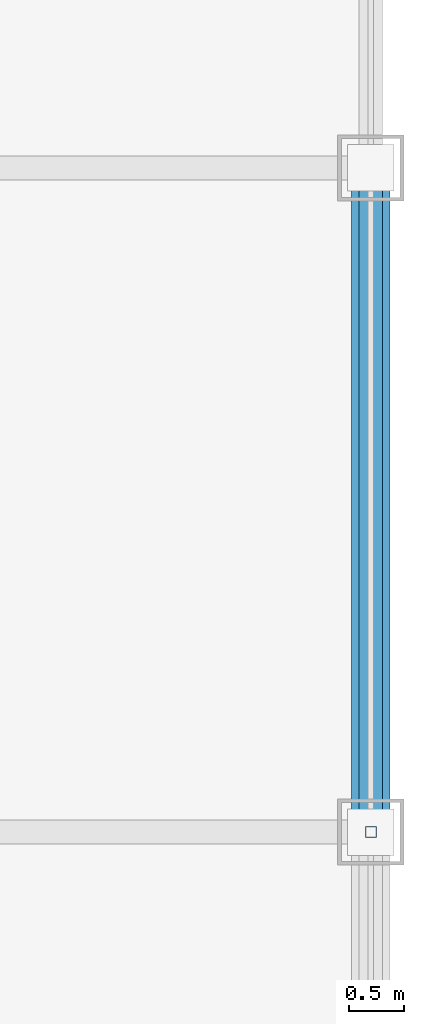
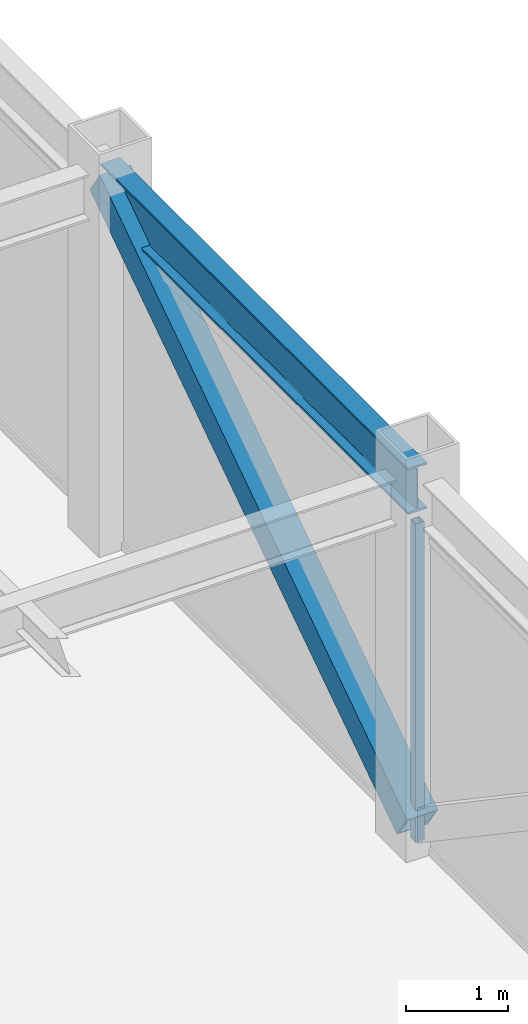
# One storey, part 12 of 27: 2 members, 1 beam, 1 element without a shape of its own.
"""IFC4 building model written with IfcOpenShell, lengths in metres."""

from ifc_helpers import new_model, si_unit, direction, frame, origin, origin_2d, place, context, subcontext, project, spatial, hollow_rectangle, i_section, extrude, source, transform, mapped, material, material_profile, profile_set, type_object, element, aggregate, save


model = new_model("IFC4")

# Units and contexts
model_context = context("Model", 3, precision=1e-05, world=origin(), true_north=direction((0.0, 1.0)))
body_context = subcontext(model_context, "Body", "Model", "MODEL_VIEW")
ifc_project = project(units=[si_unit("LENGTHUNIT", "METRE"), si_unit("AREAUNIT", "SQUARE_METRE"), si_unit("VOLUMEUNIT", "CUBIC_METRE"), si_unit("PLANEANGLEUNIT", "RADIAN"), si_unit("MASSUNIT", "GRAM", prefix="KILO")], contexts=[model_context])

# Site, building, storey
site_placement = place(None, origin())
site = spatial("IfcSite", under=ifc_project, at=site_placement, CompositionType="ELEMENT")
building_placement = place(site_placement, origin())
building = spatial("IfcBuilding", under=site, at=building_placement, Name="Khorayat Bourse Tower", CompositionType="ELEMENT")
storey_placement = place(building_placement, frame((0.0, 0.0, 380.300048828125)))
storey = spatial("IfcBuildingStorey", under=building, at=storey_placement, Name="L90", CompositionType="ELEMENT", Elevation=380.300048828125)

# Beam
ifc_material_1 = material(Name="Steel ASTM A992 Grade 50", Category="steel")
ifc_material_profile_1 = material_profile(ifc_material_1, i_section(OverallWidth=0.214111328125, OverallDepth=0.549072265625, WebThickness=0.0146484375, FlangeThickness=0.023681640625, FilletRadius=0.013916015625, at=origin_2d()), Name="W530X138")
ifc_profile_set_1 = profile_set([ifc_material_profile_1], Name="Steel ASTM A992 Grade 50")
beam_type = type_object("IfcBeamType", Name="BM-SPAN-530", PredefinedType="SPANDREL", material=ifc_profile_set_1)
shared_shape_1 = source(origin(), body_context, "Body", "SweptSolid", [
    extrude(i_section(OverallWidth=0.214111328125, OverallDepth=0.549072265625, WebThickness=0.0146484375, FlangeThickness=0.023681640625, FilletRadius=0.013916015625, at=origin_2d()), origin(), (0.0, 0.0, 1.0), 6.0),
])
beam_placement = place(storey_placement, frame((24.0, 0.0, 4.175537109375), z_axis=(0.0, 1.0, 0.0), x_axis=(-1.0, 0.0, 0.0)))
element("IfcBeam", 1, at=beam_placement, inside=storey, type_object=beam_type, Name="L90 BM-SPAN-530 BM-L90-SPN-035", PredefinedType="SPANDREL", context=body_context, shape_type="MappedRepresentation", body=[
    mapped(shared_shape_1, transform((0.0, 0.0, 0.0), scale=1.0)),
])

# Member
ifc_material_2 = material(Name="Steel EN 10025-2 S355J2", Category="steel")
ifc_material_profile_2 = material_profile(ifc_material_2, hollow_rectangle(XDim=0.35009765625, YDim=0.35009765625, WallThickness=0.02001953125, at=origin_2d()), Name="HSS 350x350x20")
ifc_profile_set_2 = profile_set([ifc_material_profile_2], Name="Steel EN 10025-2 S355J2")
member_type_1 = type_object("IfcMemberType", Name="MBR-CROWN-350", PredefinedType="USERDEFINED", material=ifc_profile_set_2)
shared_shape_2 = source(origin(), body_context, "Body", "SweptSolid", [
    extrude(hollow_rectangle(XDim=0.35009765625, YDim=0.35009765625, WallThickness=0.02001953125, at=origin_2d()), origin(), (0.0, 0.0, 1.0), 7.239013671875),
])
member_1_placement = place(storey_placement, frame((24.0, 0.0, 0.199951171875), z_axis=(0.0, 0.828845546207, 0.559477488852), x_axis=(-1.0, 0.0, 0.0)))
element("IfcMember", 2, at=member_1_placement, inside=storey, type_object=member_type_1, Name="L90 Lantern Crown Frame Member 15", ObjectType="CROWN FRAME", PredefinedType="USERDEFINED", context=body_context, shape_type="MappedRepresentation", body=[
    mapped(shared_shape_2, transform((0.0, 0.0, 0.0), scale=1.0)),
])

# Curtain wall, member
ifc_material_3 = material(Name="Aluminium EN AW-6063 T6", Category="aluminium")
curtain_wall_type = type_object("IfcCurtainWallType", Name="CW-SYS-07", PredefinedType="NOTDEFINED", material=ifc_material_3)
curtain_wall_placement = place(storey_placement, origin())
curtain_wall = element("IfcCurtainWall", 3, at=curtain_wall_placement, inside=storey, type_object=curtain_wall_type, Name="L90 Curtain Wall CW-L90-E1", PredefinedType="NOTDEFINED")
ifc_material_profile_3 = material_profile(ifc_material_3, hollow_rectangle(XDim=0.10009765625, YDim=0.10009765625, WallThickness=0.0048828125, at=origin_2d()), Name="ALU 100x100x5")
ifc_profile_set_3 = profile_set([ifc_material_profile_3], Name="Aluminium EN AW-6063 T6")
member_type_2 = type_object("IfcMemberType", Name="CWM-LANTERN-100", PredefinedType="MULLION", material=ifc_profile_set_3)
shared_shape_3 = source(origin(), body_context, "Body", "SweptSolid", [
    extrude(hollow_rectangle(XDim=0.10009765625, YDim=0.10009765625, WallThickness=0.0048828125, at=origin_2d()), origin(), (0.0, 0.0, 1.0), 3.800048828125),
])
member_2_placement = place(storey_placement, frame((24.0, 0.0, 0.0), z_axis=(0.0, 0.0, 1.0), x_axis=(-1.0, 0.0, 0.0)))
member_2 = element("IfcMember", 4, at=member_2_placement, type_object=member_type_2, Name="CW-L90-E1 Vertical Mullion 2", PredefinedType="MULLION", context=body_context, shape_type="MappedRepresentation", body=[
    mapped(shared_shape_3, transform((0.0, 0.0, 0.0), scale=1.0)),
])
aggregate(curtain_wall, [member_2])

save(model, "model.ifc")
